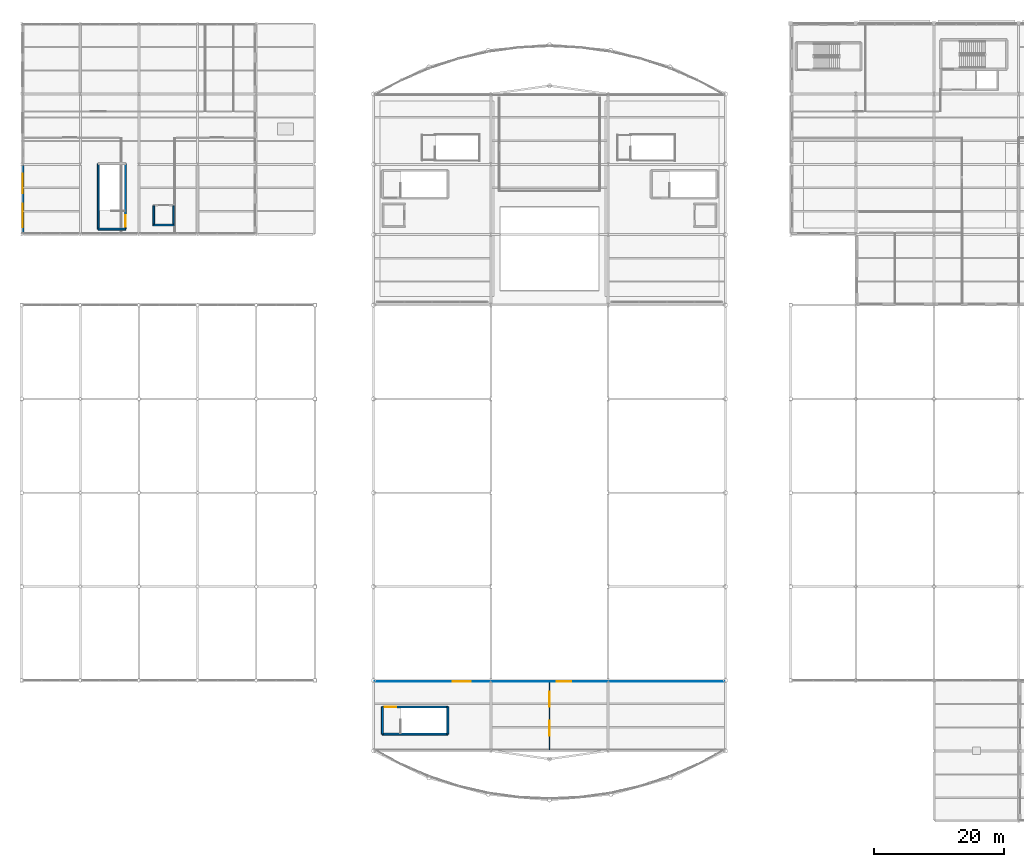
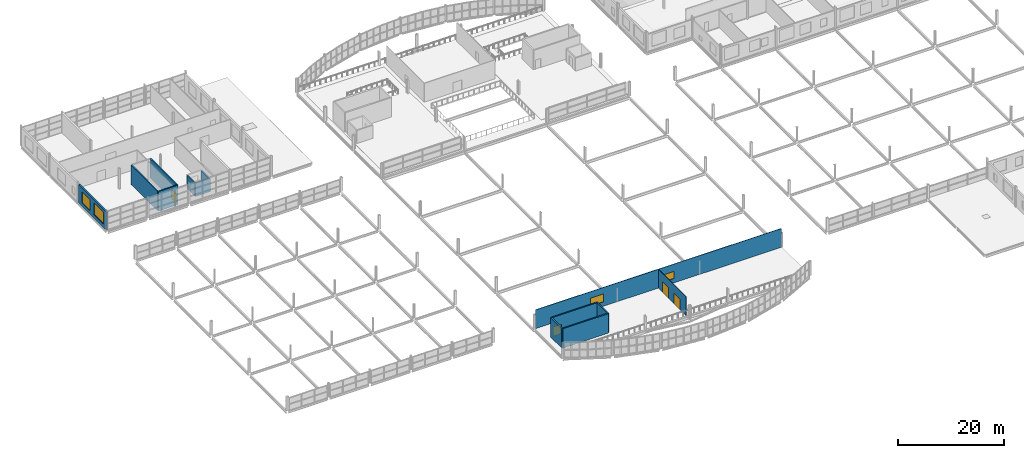
# One storey, part 121 of 134: 13 walls, 4 doors, 4 windows, 8 openings.
"""IFC4 building model written with IfcOpenShell, lengths in metres."""

from ifc_helpers import new_model, si_unit, direction, frame, frame_2d, origin, place, context, subcontext, project, spatial, rectangle, extrude, material, layer, layer_set, type_object, element, fill, save


model = new_model("IFC4")

# Units and contexts
model_context = context("Model", 3, precision=1e-05, world=origin(), true_north=direction((0.0, 1.0)))
body_context = subcontext(model_context, "Body", "Model", "MODEL_VIEW")
ifc_project = project(units=[si_unit("LENGTHUNIT", "METRE"), si_unit("AREAUNIT", "SQUARE_METRE"), si_unit("VOLUMEUNIT", "CUBIC_METRE"), si_unit("PLANEANGLEUNIT", "RADIAN"), si_unit("MASSUNIT", "GRAM", prefix="KILO")], contexts=[model_context])

# Site, building, storey
site_placement = place(None, origin())
site = spatial("IfcSite", under=ifc_project, at=site_placement, CompositionType="ELEMENT")
building_placement = place(site_placement, origin())
building = spatial("IfcBuilding", under=site, at=building_placement, Name="Tamarisk Ironworks Central Station", CompositionType="ELEMENT")
storey_placement = place(building_placement, frame((0.0, 0.0, 12.60009765625)))
storey = spatial("IfcBuildingStorey", under=building, at=storey_placement, Name="L02", CompositionType="ELEMENT", Elevation=12.60009765625)

# Wall, openings, windows
ifc_material_1 = material(Name="Clay facing brickwork and mortar", Category="masonry")
ifc_layer_1 = layer(ifc_material_1, 0.340087890625)
ifc_layer_set_1 = layer_set([ifc_layer_1], Name="Clay facing brickwork and mortar")
wall_type_1 = type_object("IfcWallType", Name="WL-BR340", PredefinedType="STANDARD", material=ifc_layer_set_1)
wall_1_placement = place(storey_placement, frame((0.169921875, 90.14794921875, 0.0), z_axis=(0.0, 0.0, 1.0), x_axis=(0.0, 1.0, 0.0)))
wall_1 = element("IfcWall", 1, at=wall_1_placement, inside=storey, type_object=wall_type_1, Name="L02 brick facade wall 0036", PredefinedType="STANDARD", context=body_context, shape_type="SweptSolid", body=[
    extrude(rectangle(XDim=10.504150390625, YDim=0.340087890625, at=frame_2d((5.251953125, 0.0))), origin(), (0.0, 0.0, 1.0), 4.219970703125),
])
opening_1_placement = place(wall_1_placement, frame((1.02587890625, 0.0, 0.75)))
opening_1 = element("IfcOpeningElement", 2, at=opening_1_placement, cuts=wall_1, Name="Opening W01", PredefinedType="OPENING", context=body_context, shape_type="SweptSolid", body=[
    extrude(rectangle(XDim=3.60009765625, YDim=2.800048828125, at=frame_2d((1.800048828125, 1.39990234375))), frame((0.0, 0.18212890625, 0.0), z_axis=(0.0, -1.0, 0.0), x_axis=(1.0, 0.0, 0.0)), (0.0, 0.0, 1.0), 0.364013671875),
])
opening_2_placement = place(wall_1_placement, frame((6.177978515625, 0.0, 0.75)))
opening_2 = element("IfcOpeningElement", 3, at=opening_2_placement, cuts=wall_1, Name="Opening W03", PredefinedType="OPENING", context=body_context, shape_type="SweptSolid", body=[
    extrude(rectangle(XDim=3.0, YDim=2.60009765625, at=frame_2d((1.5, 1.300048828125))), frame((0.0, 0.18212890625, 0.0), z_axis=(0.0, -1.0, 0.0), x_axis=(1.0, 0.0, 0.0)), (0.0, 0.0, 1.0), 0.364013671875),
])
ifc_material_2 = material(Name="Laminated solar-control low-E glass", Category="glass")
window_type_1 = type_object("IfcWindowType", Name="WN-01", PartitioningType="SINGLE_PANEL", PredefinedType="WINDOW", material=ifc_material_2)
window_1_placement = place(opening_1_placement, origin())
window_1 = element("IfcWindow", 4, at=window_1_placement, inside=storey, type_object=window_type_1, Name="L02 exterior window 0042", OverallHeight=2.800048828125, OverallWidth=3.60009765625, PartitioningType="DOUBLE_PANEL_VERTICAL", PredefinedType="WINDOW", context=body_context, shape_type="SweptSolid", body=[
    extrude(rectangle(XDim=3.60009765625, YDim=2.800048828125, at=frame_2d((1.800048828125, 1.39990234375))), frame((0.0, 0.030029296875, 0.0), z_axis=(0.0, -1.0, 0.0), x_axis=(1.0, 0.0, 0.0)), (0.0, 0.0, 1.0), 0.06005859375),
])
fill(opening_1, window_1)
window_type_2 = type_object("IfcWindowType", Name="WN-03", PartitioningType="SINGLE_PANEL", PredefinedType="WINDOW", material=ifc_material_2)
window_2_placement = place(opening_2_placement, origin())
window_2 = element("IfcWindow", 5, at=window_2_placement, inside=storey, type_object=window_type_2, Name="L02 exterior window 0043", OverallHeight=2.60009765625, OverallWidth=3.0, PartitioningType="DOUBLE_PANEL_VERTICAL", PredefinedType="WINDOW", context=body_context, shape_type="SweptSolid", body=[
    extrude(rectangle(XDim=3.0, YDim=2.60009765625, at=frame_2d((1.5, 1.300048828125))), frame((0.0, 0.030029296875, 0.0), z_axis=(0.0, -1.0, 0.0), x_axis=(1.0, 0.0, 0.0)), (0.0, 0.0, 1.0), 0.06005859375),
])
fill(opening_2, window_2)

# Wall, opening, door
ifc_material_3 = material(Name="Concrete C50/60", Category="concrete")
ifc_layer_2 = layer(ifc_material_3, 0.300048828125)
ifc_layer_set_2 = layer_set([ifc_layer_2], Name="Concrete C50/60")
wall_type_2 = type_object("IfcWallType", Name="WL-CW300", PredefinedType="SOLIDWALL", material=ifc_layer_set_2)
wall_2_placement = place(storey_placement, frame((15.945068359375, 90.85498046875, 0.0), z_axis=(0.0, 0.0, 1.0), x_axis=(0.0, 1.0, 0.0)))
wall_2 = element("IfcWall", 6, at=wall_2_placement, inside=storey, type_object=wall_type_2, Name="ST-C6 core wall L (L02)", PredefinedType="SOLIDWALL", context=body_context, shape_type="SweptSolid", body=[
    extrude(rectangle(XDim=10.0400390625, YDim=0.300048828125, at=frame_2d((5.02001953125, 0.0))), origin(), (0.0, 0.0, 1.0), 4.5),
])
opening_3_placement = place(wall_2_placement, frame((0.35009765625, 0.0, 0.0048828125)))
opening_3 = element("IfcOpeningElement", 7, at=opening_3_placement, cuts=wall_2, Name="Opening FD03", PredefinedType="OPENING", context=body_context, shape_type="SweptSolid", body=[
    extrude(rectangle(XDim=1.75, YDim=2.199951171875, at=frame_2d((0.875, 1.10009765625))), frame((0.0, 0.162109375, 0.0), z_axis=(0.0, -1.0, 0.0), x_axis=(1.0, 0.0, 0.0)), (0.0, 0.0, 1.0), 0.323974609375),
])
ifc_material_4 = material(Name="Galvanised hollow-metal door steel", Category="steel")
door_type_1 = type_object("IfcDoorType", Name="DR-FD03", OperationType="NOTDEFINED", PredefinedType="DOOR", material=ifc_material_4)
door_1_placement = place(opening_3_placement, origin())
door_1 = element("IfcDoor", 8, at=door_1_placement, inside=storey, type_object=door_type_1, Name="ST-C6 fire stair door (L02)", OperationType="SINGLE_SWING_LEFT", OverallHeight=2.199951171875, OverallWidth=1.75, PredefinedType="DOOR", context=body_context, shape_type="SweptSolid", body=[
    extrude(rectangle(XDim=1.75, YDim=2.199951171875, at=frame_2d((0.875, 1.10009765625))), frame((0.0, 0.02490234375, 0.0), z_axis=(0.0, -1.0, 0.0), x_axis=(1.0, 0.0, 0.0)), (0.0, 0.0, 1.0), 0.050048828125),
])
fill(opening_3, door_1)

# Walls
wall_3_placement = place(storey_placement, frame((11.7548828125, 90.85498046875, 0.0), z_axis=(0.0, 0.0, 1.0), x_axis=(0.0, 1.0, 0.0)))
element("IfcWall", 9, at=wall_3_placement, inside=storey, type_object=wall_type_2, Name="ST-C6 core wall R (L02)", PredefinedType="SOLIDWALL", context=body_context, shape_type="SweptSolid", body=[
    extrude(rectangle(XDim=10.0400390625, YDim=0.300048828125, at=frame_2d((5.02001953125, 0.0))), origin(), (0.0, 0.0, 1.0), 4.5),
])
wall_4_placement = place(storey_placement, frame((15.945068359375, 90.85498046875, 0.0), z_axis=(0.0, 0.0, 1.0), x_axis=(-1.0, 0.0, 0.0)))
element("IfcWall", 10, at=wall_4_placement, inside=storey, type_object=wall_type_2, Name="ST-C6 core wall N (L02)", PredefinedType="SOLIDWALL", context=body_context, shape_type="SweptSolid", body=[
    extrude(rectangle(XDim=4.190185546875, YDim=0.300048828125, at=frame_2d((2.09521484375, 0.0))), origin(), (0.0, 0.0, 1.0), 4.5),
])
wall_5_placement = place(storey_placement, frame((55.35498046875, 13.35498046875, 0.0), z_axis=(0.0, 0.0, 1.0), x_axis=(1.0, 0.0, 0.0)))
element("IfcWall", 11, at=wall_5_placement, inside=storey, type_object=wall_type_2, Name="ST-C8 core wall L (L02)", PredefinedType="SOLIDWALL", context=body_context, shape_type="SweptSolid", body=[
    extrude(rectangle(XDim=10.0400390625, YDim=0.300048828125, at=frame_2d((5.02001953125, 0.0))), origin(), (0.0, 0.0, 1.0), 4.5),
])

# Wall, opening, door
wall_6_placement = place(storey_placement, frame((55.35498046875, 17.544921875, 0.0), z_axis=(0.0, 0.0, 1.0), x_axis=(1.0, 0.0, 0.0)))
wall_6 = element("IfcWall", 12, at=wall_6_placement, inside=storey, type_object=wall_type_2, Name="ST-C8 core wall R (L02)", PredefinedType="SOLIDWALL", context=body_context, shape_type="SweptSolid", body=[
    extrude(rectangle(XDim=10.0400390625, YDim=0.300048828125, at=frame_2d((5.02001953125, 0.0))), origin(), (0.0, 0.0, 1.0), 4.5),
])
opening_4_placement = place(wall_6_placement, frame((0.35009765625, 0.0, 0.0048828125)))
opening_4 = element("IfcOpeningElement", 13, at=opening_4_placement, cuts=wall_6, Name="Opening FD03", PredefinedType="OPENING", context=body_context, shape_type="SweptSolid", body=[
    extrude(rectangle(XDim=1.75, YDim=2.199951171875, at=frame_2d((0.875, 1.10009765625))), frame((0.0, 0.162109375, 0.0), z_axis=(0.0, -1.0, 0.0), x_axis=(1.0, 0.0, 0.0)), (0.0, 0.0, 1.0), 0.323974609375),
])
door_2_placement = place(opening_4_placement, origin())
door_2 = element("IfcDoor", 14, at=door_2_placement, inside=storey, type_object=door_type_1, Name="ST-C8 fire stair door (L02)", OperationType="SINGLE_SWING_LEFT", OverallHeight=2.199951171875, OverallWidth=1.75, PredefinedType="DOOR", context=body_context, shape_type="SweptSolid", body=[
    extrude(rectangle(XDim=1.75, YDim=2.199951171875, at=frame_2d((0.875, 1.10009765625))), frame((0.0, 0.02490234375, 0.0), z_axis=(0.0, -1.0, 0.0), x_axis=(1.0, 0.0, 0.0)), (0.0, 0.0, 1.0), 0.050048828125),
])
fill(opening_4, door_2)

# Walls
for number, where, z_axis, x_axis, name in (
    (15, (55.35498046875, 13.35498046875, 0.0), (0.0, 0.0, 1.0), (0.0, 1.0, 0.0), "ST-C8 core wall N (L02)"),
    (16, (65.39501953125, 13.35498046875, 0.0), (0.0, 0.0, 1.0), (0.0, 1.0, 0.0), "ST-C8 core wall F (L02)"),
):
    element("IfcWall", number, at=place(storey_placement, frame(where, z_axis=z_axis, x_axis=x_axis)), inside=storey, type_object=wall_type_2, Name=name, PredefinedType="SOLIDWALL", context=body_context, shape_type="SweptSolid", body=[
        extrude(rectangle(XDim=4.18994140625, YDim=0.300048828125, at=frame_2d((2.094970703125, 0.0))), origin(), (0.0, 0.0, 1.0), 4.5),
    ])

# Wall, openings, windows
ifc_layer_3 = layer(ifc_material_2, 0.114990234375)
ifc_layer_set_3 = layer_set([ifc_layer_3], Name="Laminated solar-control low-E glass")
wall_type_3 = type_object("IfcWallType", Name="WL-GL120", PredefinedType="PARTITIONING", material=ifc_layer_set_3)
wall_7_placement = place(storey_placement, frame((54.14990234375, 21.419921875, 0.0), z_axis=(0.0, 0.0, 1.0), x_axis=(1.0, 0.0, 0.0)))
wall_7 = element("IfcWall", 17, at=wall_7_placement, inside=storey, type_object=wall_type_3, Name="L02 interior partition 0056", PredefinedType="PARTITIONING", context=body_context, shape_type="SweptSolid", body=[
    extrude(rectangle(XDim=53.7001953125, YDim=0.114990234375, at=frame_2d((26.85009765625, 0.0))), origin(), (0.0, 0.0, 1.0), 4.349853515625),
])
opening_5_placement = place(wall_7_placement, frame((12.0, 0.0, 1.050048828125)))
opening_5 = element("IfcOpeningElement", 18, at=opening_5_placement, cuts=wall_7, Name="Opening W20", PredefinedType="OPENING", context=body_context, shape_type="SweptSolid", body=[
    extrude(rectangle(XDim=2.800048828125, YDim=1.800048828125, at=frame_2d((1.39990234375, 0.89990234375))), frame((0.0, 0.0693359375, 0.0), z_axis=(0.0, -1.0, 0.0), x_axis=(1.0, 0.0, 0.0)), (0.0, 0.0, 1.0), 0.138916015625),
])
opening_6_placement = place(wall_7_placement, frame((28.0, 0.0, 1.050048828125)))
opening_6 = element("IfcOpeningElement", 19, at=opening_6_placement, cuts=wall_7, Name="Opening W21", PredefinedType="OPENING", context=body_context, shape_type="SweptSolid", body=[
    extrude(rectangle(XDim=2.199951171875, YDim=1.60009765625, at=frame_2d((1.10009765625, 0.800048828125))), frame((0.0, 0.0693359375, 0.0), z_axis=(0.0, -1.0, 0.0), x_axis=(1.0, 0.0, 0.0)), (0.0, 0.0, 1.0), 0.138916015625),
])
window_type_3 = type_object("IfcWindowType", Name="WN-20", PartitioningType="SINGLE_PANEL", PredefinedType="WINDOW", material=ifc_material_2)
window_3_placement = place(opening_5_placement, origin())
window_3 = element("IfcWindow", 20, at=window_3_placement, inside=storey, type_object=window_type_3, Name="L02 internal observation window", OverallHeight=1.800048828125, OverallWidth=2.800048828125, PartitioningType="DOUBLE_PANEL_VERTICAL", PredefinedType="WINDOW", context=body_context, shape_type="SweptSolid", body=[
    extrude(rectangle(XDim=2.800048828125, YDim=1.800048828125, at=frame_2d((1.39990234375, 0.89990234375))), frame((0.0, 0.030029296875, 0.0), z_axis=(0.0, -1.0, 0.0), x_axis=(1.0, 0.0, 0.0)), (0.0, 0.0, 1.0), 0.06005859375),
])
fill(opening_5, window_3)
window_type_4 = type_object("IfcWindowType", Name="WN-21", PartitioningType="SINGLE_PANEL", PredefinedType="WINDOW", material=ifc_material_2)
window_4_placement = place(opening_6_placement, origin())
window_4 = element("IfcWindow", 21, at=window_4_placement, inside=storey, type_object=window_type_4, Name="L02 internal observation window", OverallHeight=1.60009765625, OverallWidth=2.199951171875, PartitioningType="DOUBLE_PANEL_VERTICAL", PredefinedType="WINDOW", context=body_context, shape_type="SweptSolid", body=[
    extrude(rectangle(XDim=2.199951171875, YDim=1.60009765625, at=frame_2d((1.10009765625, 0.800048828125))), frame((0.0, 0.030029296875, 0.0), z_axis=(0.0, -1.0, 0.0), x_axis=(1.0, 0.0, 0.0)), (0.0, 0.0, 1.0), 0.06005859375),
])
fill(opening_6, window_4)

# Wall, openings, doors
wall_8_placement = place(storey_placement, frame((81.0, 10.949951171875, 0.0), z_axis=(0.0, 0.0, 1.0), x_axis=(0.0, 1.0, 0.0)))
wall_8 = element("IfcWall", 22, at=wall_8_placement, inside=storey, type_object=wall_type_3, Name="L02 interior partition 0057", PredefinedType="PARTITIONING", context=body_context, shape_type="SweptSolid", body=[
    extrude(rectangle(XDim=10.469970703125, YDim=0.114990234375, at=frame_2d((5.23486328125, 0.0))), origin(), (0.0, 0.0, 1.0), 4.349853515625),
])
opening_7_placement = place(wall_8_placement, frame((2.199951171875, 0.0, 0.0048828125)))
opening_7 = element("IfcOpeningElement", 23, at=opening_7_placement, cuts=wall_8, Name="Opening D01", PredefinedType="OPENING", context=body_context, shape_type="SweptSolid", body=[
    extrude(rectangle(XDim=2.300048828125, YDim=2.39990234375, at=frame_2d((1.14990234375, 1.199951171875))), frame((0.0, 0.0693359375, 0.0), z_axis=(0.0, -1.0, 0.0), x_axis=(1.0, 0.0, 0.0)), (0.0, 0.0, 1.0), 0.138916015625),
])
opening_8_placement = place(wall_8_placement, frame((6.60009765625, 0.0, 0.0048828125)))
opening_8 = element("IfcOpeningElement", 24, at=opening_8_placement, cuts=wall_8, Name="Opening D01", PredefinedType="OPENING", context=body_context, shape_type="SweptSolid", body=[
    extrude(rectangle(XDim=2.300048828125, YDim=2.39990234375, at=frame_2d((1.14990234375, 1.199951171875))), frame((0.0, 0.0693359375, 0.0), z_axis=(0.0, -1.0, 0.0), x_axis=(1.0, 0.0, 0.0)), (0.0, 0.0, 1.0), 0.138916015625),
])
ifc_material_5 = material(Name="Anodized aluminium alloy 6063-T6", Category="aluminium")
door_type_2 = type_object("IfcDoorType", Name="DR-ID01", OperationType="NOTDEFINED", PredefinedType="DOOR", material=ifc_material_5)
door_3_placement = place(opening_7_placement, origin())
door_3 = element("IfcDoor", 25, at=door_3_placement, inside=storey, type_object=door_type_2, Name="L02 room door 0043", OperationType="DOUBLE_DOOR_SINGLE_SWING", OverallHeight=2.39990234375, OverallWidth=2.300048828125, PredefinedType="DOOR", context=body_context, shape_type="SweptSolid", body=[
    extrude(rectangle(XDim=2.300048828125, YDim=2.39990234375, at=frame_2d((1.14990234375, 1.199951171875))), frame((0.0, 0.02490234375, 0.0), z_axis=(0.0, -1.0, 0.0), x_axis=(1.0, 0.0, 0.0)), (0.0, 0.0, 1.0), 0.050048828125),
])
fill(opening_7, door_3)
door_4_placement = place(opening_8_placement, origin())
door_4 = element("IfcDoor", 26, at=door_4_placement, inside=storey, type_object=door_type_2, Name="L02 room door 0044", OperationType="DOUBLE_DOOR_SINGLE_SWING", OverallHeight=2.39990234375, OverallWidth=2.300048828125, PredefinedType="DOOR", context=body_context, shape_type="SweptSolid", body=[
    extrude(rectangle(XDim=2.300048828125, YDim=2.39990234375, at=frame_2d((1.14990234375, 1.199951171875))), frame((0.0, 0.02490234375, 0.0), z_axis=(0.0, -1.0, 0.0), x_axis=(1.0, 0.0, 0.0)), (0.0, 0.0, 1.0), 0.050048828125),
])
fill(opening_8, door_4)

# Walls
ifc_layer_4 = layer(ifc_material_3, 0.25)
ifc_layer_set_4 = layer_set([ifc_layer_4], Name="Concrete C50/60")
wall_type_4 = type_object("IfcWallType", Name="WL-SH250", PredefinedType="SOLIDWALL", material=ifc_layer_set_4)
wall_9_placement = place(storey_placement, frame((20.14990234375, 91.47509765625, 0.0), z_axis=(0.0, 0.0, 1.0), x_axis=(1.0, 0.0, 0.0)))
element("IfcWall", 27, at=wall_9_placement, inside=storey, type_object=wall_type_4, Name="LF-V1 lift shaft wall S (L02)", PredefinedType="SOLIDWALL", context=body_context, shape_type="SweptSolid", body=[
    extrude(rectangle(XDim=3.300048828125, YDim=0.25, at=frame_2d((1.64990234375, 0.0))), origin(), (0.0, 0.0, 1.0), 3.0498046875),
])
for number, where, z_axis, x_axis, name in (
    (28, (20.27490234375, 91.60009765625, 0.0), (0.0, 0.0, 1.0), (0.0, 1.0, 0.0), "LF-V1 lift shaft wall W (L02)"),
    (29, (23.324951171875, 91.60009765625, 0.0), (0.0, 0.0, 1.0), (0.0, 1.0, 0.0), "LF-V1 lift shaft wall E (L02)"),
):
    element("IfcWall", number, at=place(storey_placement, frame(where, z_axis=z_axis, x_axis=x_axis)), inside=storey, type_object=wall_type_4, Name=name, PredefinedType="SOLIDWALL", context=body_context, shape_type="SweptSolid", body=[
        extrude(rectangle(XDim=2.7998046875, YDim=0.25, at=frame_2d((1.39990234375, 0.0))), origin(), (0.0, 0.0, 1.0), 3.0498046875),
    ])

save(model, "model.ifc")
